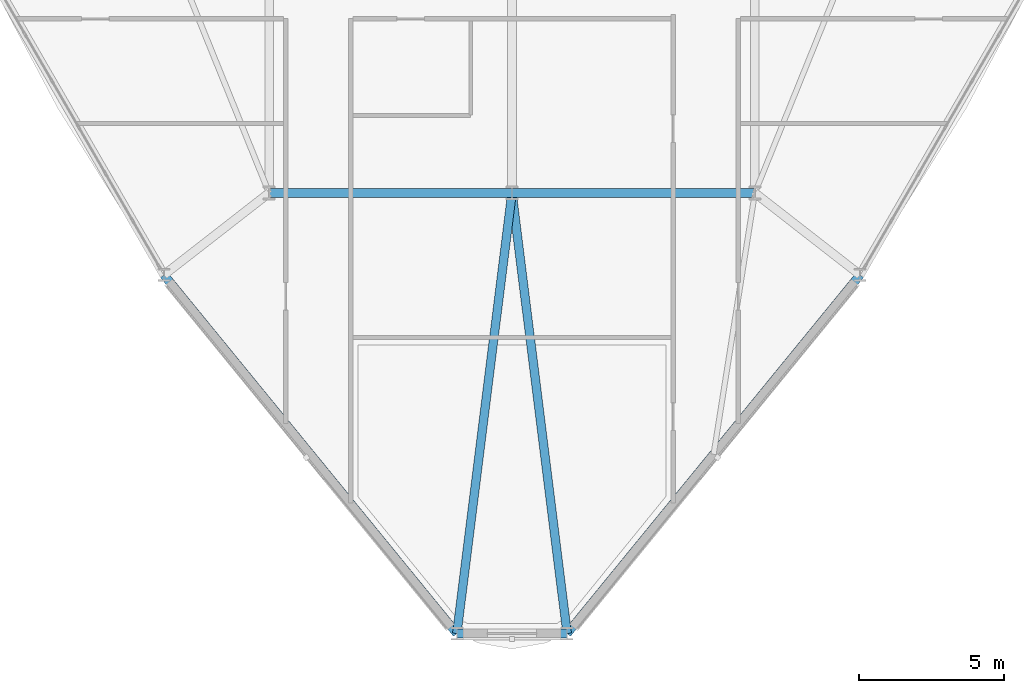
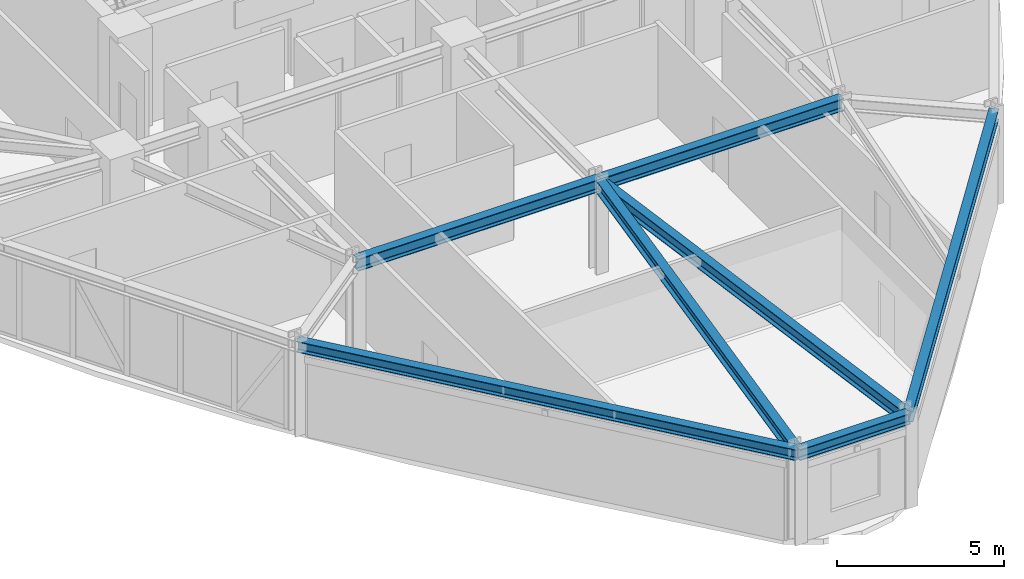
# One storey, part 3 of 17: 7 beams.
"""IFC4 building model written with IfcOpenShell, lengths in metres."""

from ifc_helpers import new_model, si_unit, derived_unit, direction, frame, origin, origin_2d, place, context, subcontext, project, spatial, i_section, extrude, source, transform, mapped, material, material_profile, profile_set, type_object, element, save


model = new_model("IFC4")

# Units and contexts
model_context = context("Model", 3, precision=1e-05, world=origin(), true_north=direction((0.0, 1.0)))
body_context = subcontext(model_context, "Body", "Model", "MODEL_VIEW")
ifc_project = project(units=[si_unit("LENGTHUNIT", "METRE"), si_unit("AREAUNIT", "SQUARE_METRE"), si_unit("VOLUMEUNIT", "CUBIC_METRE"), si_unit("PLANEANGLEUNIT", "RADIAN"), si_unit("MASSUNIT", "GRAM", prefix="KILO"), derived_unit("THERMALTRANSMITTANCEUNIT", [(si_unit("POWERUNIT", "WATT"), 1), (si_unit("LENGTHUNIT", "METRE"), -2), (si_unit("THERMODYNAMICTEMPERATUREUNIT", "KELVIN"), -1)])], contexts=[model_context])

# Site, building, storey
site_placement = place(None, origin())
site = spatial("IfcSite", under=ifc_project, at=site_placement, CompositionType="ELEMENT")
building_placement = place(site_placement, origin())
building = spatial("IfcBuilding", under=site, at=building_placement, Name="Korsvarv Bourse and Concert Hall", CompositionType="ELEMENT")
storey_placement = place(building_placement, frame((0.0, 0.0, 120.60009765625)))
storey = spatial("IfcBuildingStorey", under=building, at=storey_placement, Name="L30", CompositionType="ELEMENT", Elevation=120.60009765625)

# Beams
ifc_material = material(Name="Steel S355", Category="steel")
ifc_material_profile_1 = material_profile(ifc_material, i_section(OverallWidth=0.300048828125, OverallDepth=0.449951171875, WebThickness=0.013916015625, FlangeThickness=0.02587890625, FilletRadius=0.02099609375, at=origin_2d()), Name="HEB 450")
ifc_profile_set_1 = profile_set([ifc_material_profile_1], Name="Steel S355")
beam_type_1 = type_object("IfcBeamType", Name="BM-HEB450", PredefinedType="SPANDREL", material=ifc_profile_set_1)
shared_shape_1 = source(origin(), body_context, "Body", "SweptSolid", [
    extrude(i_section(OverallWidth=0.300048828125, OverallDepth=0.449951171875, WebThickness=0.013916015625, FlangeThickness=0.02587890625, FilletRadius=0.02099609375, at=origin_2d()), origin(), (0.0, 0.0, 1.0), 8.39990234375),
])
for number, where, z_axis, x_axis, name in (
    (1, (27.60009765625, 24.0, 3.1748046875), (1.0, 0.0, 0.0), (0.0, 1.0, 0.0), "L30 beam B-08"),
    (2, (36.0, 24.0, 3.1748046875), (1.0, 0.0, 0.0), (0.0, 1.0, 0.0), "L30 beam B-08"),
):
    element("IfcBeam", number, at=place(storey_placement, frame(where, z_axis=z_axis, x_axis=x_axis)), inside=storey, type_object=beam_type_1, Name=name, PredefinedType="SPANDREL", context=body_context, shape_type="MappedRepresentation", body=[
        mapped(shared_shape_1, transform((0.0, 0.0, 0.0), scale=1.0)),
    ])
ifc_material_profile_2 = material_profile(ifc_material, i_section(OverallWidth=0.300048828125, OverallDepth=0.39990234375, WebThickness=0.013427734375, FlangeThickness=0.02392578125, FilletRadius=0.02099609375, at=origin_2d()), Name="HEB 400")
ifc_profile_set_2 = profile_set([ifc_material_profile_2], Name="Steel S355")
beam_type_2 = type_object("IfcBeamType", Name="BM-HEB400", PredefinedType="SPANDREL", material=ifc_profile_set_2)
shared_shape_2 = source(origin(), body_context, "Body", "SweptSolid", [
    extrude(i_section(OverallWidth=0.300048828125, OverallDepth=0.39990234375, WebThickness=0.013427734375, FlangeThickness=0.02392578125, FilletRadius=0.02099609375, at=origin_2d()), origin(), (0.0, 0.0, 1.0), 3.81591796875),
])
beam_placement = place(storey_placement, frame((34.092041015625, 8.76318359375, 3.199951171875), z_axis=(1.0, 0.0, 0.0), x_axis=(0.0, 1.0, 0.0)))
element("IfcBeam", 3, at=beam_placement, inside=storey, type_object=beam_type_2, Name="L30 beam B-09", PredefinedType="SPANDREL", context=body_context, shape_type="MappedRepresentation", body=[
    mapped(shared_shape_2, transform((0.0, 0.0, 0.0), scale=1.0)),
])
shared_shape_3 = source(origin(), body_context, "Body", "SweptSolid", [
    extrude(i_section(OverallWidth=0.300048828125, OverallDepth=0.39990234375, WebThickness=0.013427734375, FlangeThickness=0.02392578125, FilletRadius=0.02099609375, at=origin_2d()), origin(), (0.0, 0.0, 1.0), 16.0146484375),
])
for number, where, z_axis, x_axis, name in (
    (4, (23.96240234375, 21.167236328125, 3.199951171875), (0.632521919704, -0.774542459194, 0.0), (0.774542459194, 0.632521919704, 0.0), "L30 beam B-09"),
    (5, (37.907958984375, 8.76318359375, 3.199951171875), (0.632521919704, 0.774542459194, 0.0), (-0.774542459194, 0.632521919704, 0.0), "L30 beam B-09"),
):
    element("IfcBeam", number, at=place(storey_placement, frame(where, z_axis=z_axis, x_axis=x_axis)), inside=storey, type_object=beam_type_2, Name=name, PredefinedType="SPANDREL", context=body_context, shape_type="MappedRepresentation", body=[
        mapped(shared_shape_3, transform((0.0, 0.0, 0.0), scale=1.0)),
    ])
shared_shape_4 = source(origin(), body_context, "Body", "SweptSolid", [
    extrude(i_section(OverallWidth=0.300048828125, OverallDepth=0.449951171875, WebThickness=0.013916015625, FlangeThickness=0.02587890625, FilletRadius=0.02099609375, at=origin_2d()), origin(), (0.0, 0.0, 1.0), 15.355712890625),
])
for number, where, z_axis, x_axis, name in (
    (6, (34.092041015625, 8.76318359375, 3.1748046875), (0.124249978447, 0.992250947521, 0.0), (-0.992250947521, 0.124249978447, 0.0), "L30 beam B-08"),
    (7, (37.907958984375, 8.76318359375, 3.1748046875), (-0.124249978447, 0.992250947521, 0.0), (-0.992250947521, -0.124249978447, 0.0), "L30 beam B-08"),
):
    element("IfcBeam", number, at=place(storey_placement, frame(where, z_axis=z_axis, x_axis=x_axis)), inside=storey, type_object=beam_type_1, Name=name, PredefinedType="SPANDREL", context=body_context, shape_type="MappedRepresentation", body=[
        mapped(shared_shape_4, transform((0.0, 0.0, 0.0), scale=1.0)),
    ])

save(model, "model.ifc")
